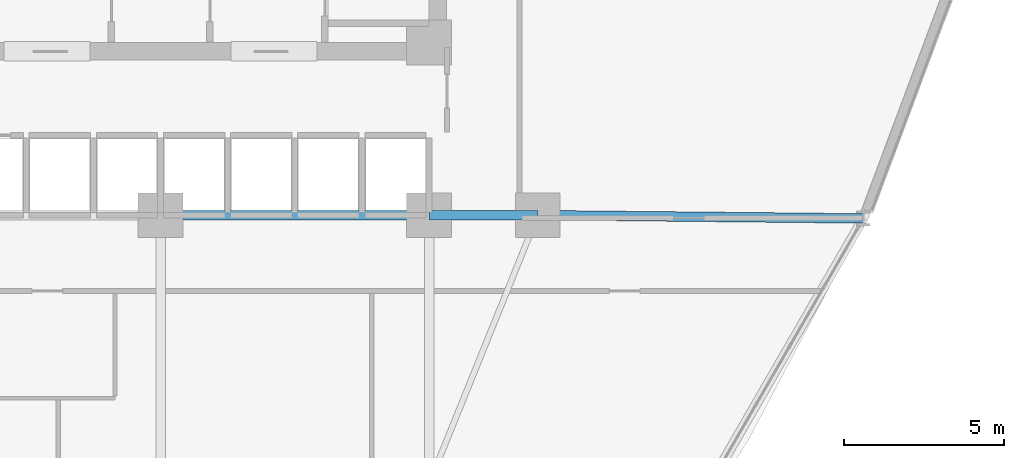
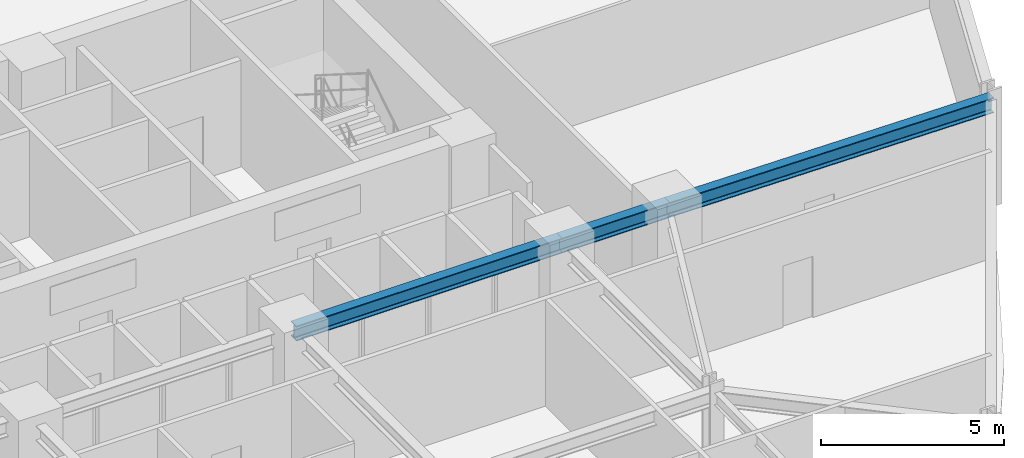
# One storey, part 9 of 22: 3 beams.
"""IFC4 building model written with IfcOpenShell, lengths in metres."""

from ifc_helpers import new_model, si_unit, derived_unit, direction, frame, origin, origin_2d, place, context, subcontext, project, spatial, i_section, extrude, source, transform, mapped, material, material_profile, profile_set, type_object, element, save


model = new_model("IFC4")

# Units and contexts
model_context = context("Model", 3, precision=1e-05, world=origin(), true_north=direction((0.0, 1.0)))
body_context = subcontext(model_context, "Body", "Model", "MODEL_VIEW")
ifc_project = project(units=[si_unit("LENGTHUNIT", "METRE"), si_unit("AREAUNIT", "SQUARE_METRE"), si_unit("VOLUMEUNIT", "CUBIC_METRE"), si_unit("PLANEANGLEUNIT", "RADIAN"), si_unit("MASSUNIT", "GRAM", prefix="KILO"), derived_unit("THERMALTRANSMITTANCEUNIT", [(si_unit("POWERUNIT", "WATT"), 1), (si_unit("LENGTHUNIT", "METRE"), -2), (si_unit("THERMODYNAMICTEMPERATUREUNIT", "KELVIN"), -1)])], contexts=[model_context])

# Site, building, storey
site_placement = place(None, origin())
site = spatial("IfcSite", under=ifc_project, at=site_placement, CompositionType="ELEMENT")
building_placement = place(site_placement, origin())
building = spatial("IfcBuilding", under=site, at=building_placement, Name="Korsvarv Bourse and Concert Hall", CompositionType="ELEMENT")
storey_placement = place(building_placement, frame((0.0, 0.0, 55.199951171875)))
storey = spatial("IfcBuildingStorey", under=building, at=storey_placement, Name="L13", CompositionType="ELEMENT", Elevation=55.199951171875)

# Beams
ifc_material = material(Name="Steel S355", Category="steel")
ifc_material_profile = material_profile(ifc_material, i_section(OverallWidth=0.300048828125, OverallDepth=0.5, WebThickness=0.014404296875, FlangeThickness=0.028076171875, FilletRadius=0.02392578125, at=origin_2d()), Name="HEB 500")
ifc_profile_set = profile_set([ifc_material_profile], Name="Steel S355")
beam_type = type_object("IfcBeamType", Name="BM-HEB500", PredefinedType="BEAM", material=ifc_profile_set)
shared_shape_1 = source(origin(), body_context, "Body", "SweptSolid", [
    extrude(i_section(OverallWidth=0.300048828125, OverallDepth=0.5, WebThickness=0.014404296875, FlangeThickness=0.028076171875, FilletRadius=0.02392578125, at=origin_2d()), origin(), (0.0, 0.0, 1.0), 3.400146484375),
])
beam_1_placement = place(storey_placement, frame((44.39990234375, 32.39990234375, 3.31005859375), z_axis=(1.0, 0.0, 0.0), x_axis=(0.0, 1.0, 0.0)))
element("IfcBeam", 1, at=beam_1_placement, inside=storey, type_object=beam_type, Name="L13 beam B-07", PredefinedType="BEAM", context=body_context, shape_type="MappedRepresentation", body=[
    mapped(shared_shape_1, transform((0.0, 0.0, 0.0), scale=1.0)),
])
shared_shape_2 = source(origin(), body_context, "Body", "SweptSolid", [
    extrude(i_section(OverallWidth=0.300048828125, OverallDepth=0.5, WebThickness=0.014404296875, FlangeThickness=0.028076171875, FilletRadius=0.02392578125, at=origin_2d()), origin(), (0.0, 0.0, 1.0), 8.39990234375),
])
beam_2_placement = place(storey_placement, frame((36.0, 32.39990234375, 3.31005859375), z_axis=(1.0, 0.0, 0.0), x_axis=(0.0, 1.0, 0.0)))
element("IfcBeam", 2, at=beam_2_placement, inside=storey, type_object=beam_type, Name="L13 beam B-07", PredefinedType="BEAM", context=body_context, shape_type="MappedRepresentation", body=[
    mapped(shared_shape_2, transform((0.0, 0.0, 0.0), scale=1.0)),
])
shared_shape_3 = source(origin(), body_context, "Body", "SweptSolid", [
    extrude(i_section(OverallWidth=0.300048828125, OverallDepth=0.5, WebThickness=0.014404296875, FlangeThickness=0.028076171875, FilletRadius=0.02392578125, at=origin_2d()), origin(), (0.0, 0.0, 1.0), 10.18359375),
])
beam_3_placement = place(storey_placement, frame((57.983154296875, 32.297119140625, 3.31005859375), z_axis=(-0.999949064493, 0.010092988639, 0.0), x_axis=(-0.010092988639, -0.999949064493, 0.0)))
element("IfcBeam", 3, at=beam_3_placement, inside=storey, type_object=beam_type, Name="L13 beam B-07", PredefinedType="BEAM", context=body_context, shape_type="MappedRepresentation", body=[
    mapped(shared_shape_3, transform((0.0, 0.0, 0.0), scale=1.0)),
])

save(model, "model.ifc")
